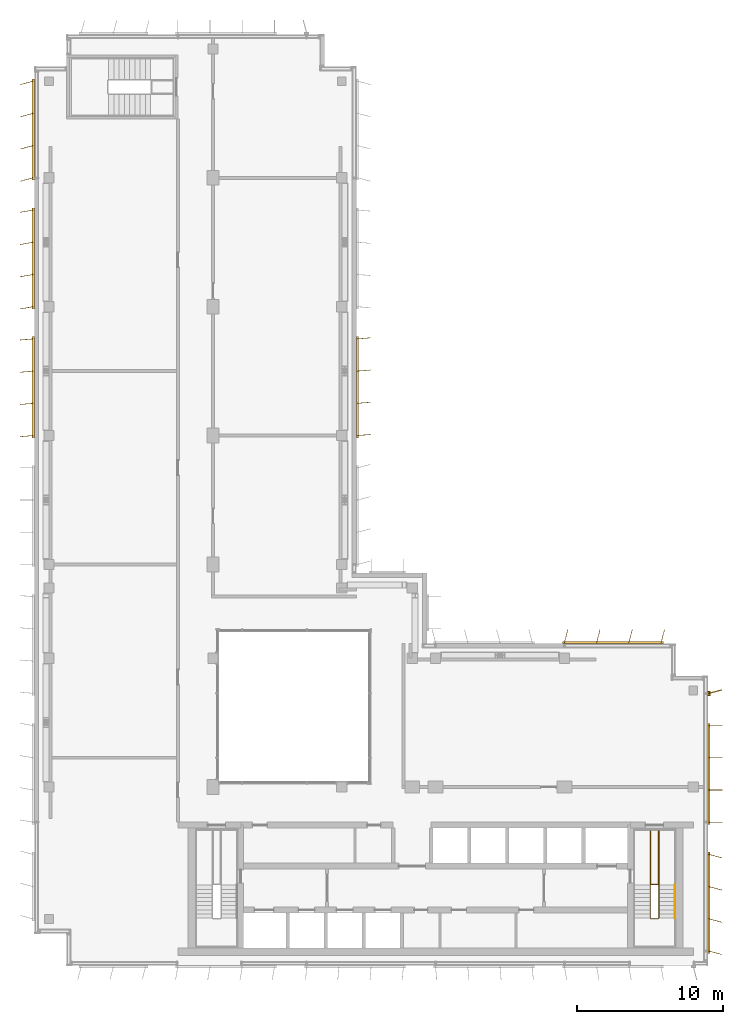
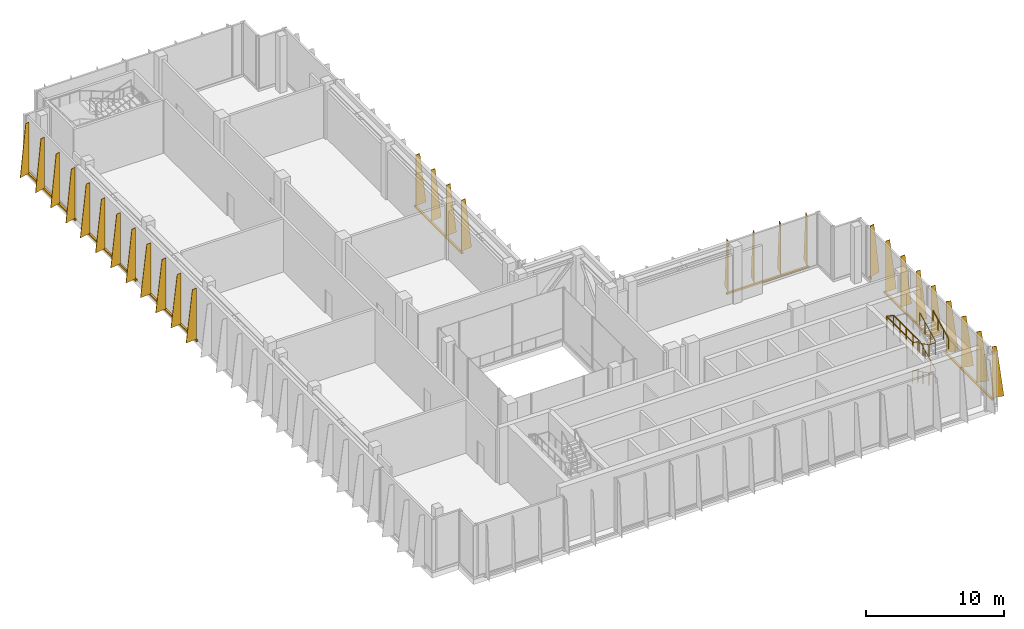
# One storey, part 13 of 14: 8 shading devices, 2 railings.
"""IFC4 building model written with IfcOpenShell, lengths in metres."""

from ifc_helpers import new_model, si_unit, direction, frame, origin, origin_2d, place, context, subcontext, project, spatial, polyline, rectangle, circle, outline, extrude, source, transform, mapped, material, layer, layer_set, type_object, element, save


model = new_model("IFC4")

# Units and contexts
model_context = context("Model", 3, precision=1e-05, world=origin(), true_north=direction((0.0, 1.0)))
body_context = subcontext(model_context, "Body", "Model", "MODEL_VIEW")
ifc_project = project(units=[si_unit("LENGTHUNIT", "METRE"), si_unit("AREAUNIT", "SQUARE_METRE"), si_unit("VOLUMEUNIT", "CUBIC_METRE"), si_unit("PLANEANGLEUNIT", "RADIAN"), si_unit("MASSUNIT", "GRAM", prefix="KILO")], contexts=[model_context])

# Site, building, storey
site_placement = place(None, origin())
site = spatial("IfcSite", under=ifc_project, at=site_placement, CompositionType="ELEMENT")
building_placement = place(site_placement, origin())
building = spatial("IfcBuilding", under=site, at=building_placement, Name="Kemantara Hotel Tower", CompositionType="ELEMENT")
storey_placement = place(building_placement, frame((0.0, 0.0, 309.199951171875)))
storey = spatial("IfcBuildingStorey", under=building, at=storey_placement, Name="L78", CompositionType="ELEMENT", Elevation=309.199951171875)

# Railings
ifc_material_1 = material(Name="Stainless steel balustrade", Category="steel")
railing_type_1 = type_object("IfcRailingType", Name="Stair guard 1100 mm", PredefinedType="GUARDRAIL", material=ifc_material_1)
railing_1_placement = place(storey_placement, frame((42.64990234375, 5.5, 5.0)))
element("IfcRailing", 1, at=railing_1_placement, inside=storey, type_object=railing_type_1, Name="L78 ST2 stair guard 1", PredefinedType="GUARDRAIL", context=body_context, shape_type="SweptSolid", body=[
    extrude(circle(Radius=0.02392578125, at=origin_2d()), frame((0.0, 0.0, 1.076171875), z_axis=(0.0, -0.895848192791, -0.444360231651), x_axis=(1.0, 0.0, 0.0)), (0.0, 0.0, 1.0), 2.50048828125),
    extrude(circle(Radius=0.02392578125, at=origin_2d()), frame((0.0, -2.239990234375, -0.03515625), z_axis=(-0.319608697381, -0.321175406682, -0.891457592206), x_axis=(0.708833529934, -0.705375805398, 0.0)), (0.0, 0.0, 1.0), 0.15576171875),
    extrude(circle(Radius=0.02392578125, at=origin_2d()), frame((-0.0498046875, -2.2900390625, -0.173828125), z_axis=(-1.0, 0.0, 0.0), x_axis=(0.0, -1.0, 0.0)), (0.0, 0.0, 1.0), 0.5),
    extrude(circle(Radius=0.02392578125, at=origin_2d()), frame((-0.5498046875, -2.2900390625, -0.173828125), z_axis=(-0.707106781187, 0.707106781187, 0.0), x_axis=(-0.707106781187, -0.707106781187, 0.0)), (0.0, 0.0, 1.0), 0.07080078125),
    extrude(circle(Radius=0.02392578125, at=origin_2d()), frame((-0.599853515625, -2.239990234375, -0.173828125), z_axis=(0.0, 0.895848192791, -0.444360231651), x_axis=(-1.0, 0.0, 0.0)), (0.0, 0.0, 1.0), 2.50048828125),
    extrude(circle(Radius=0.02392578125, at=origin_2d()), frame((-0.599853515625, 0.0, -1.28515625), z_axis=(0.0, 1.0, 0.0), x_axis=(-1.0, 0.0, 0.0)), (0.0, 0.0, 1.0), 3.780029296875),
    extrude(circle(Radius=0.02392578125, at=origin_2d()), frame((-0.599853515625, 3.780029296875, -1.28515625), z_axis=(0.969557479204, 0.0, -0.244863828525), x_axis=(0.0, 1.0, 0.0)), (0.0, 0.0, 1.0), 0.5673828125),
    extrude(circle(Radius=0.02392578125, at=origin_2d()), frame((-0.0498046875, 3.780029296875, -1.423828125), z_axis=(0.0, -1.0, 0.0), x_axis=(1.0, 0.0, 0.0)), (0.0, 0.0, 1.0), 3.72998046875),
    extrude(circle(Radius=0.02392578125, at=origin_2d()), frame((-0.0498046875, 0.050048828125, -1.423828125), z_axis=(-1.0, 0.0, 0.0), x_axis=(0.0, -1.0, 0.0)), (0.0, 0.0, 1.0), 0.5),
    extrude(circle(Radius=0.02392578125, at=origin_2d()), frame((-0.5498046875, 0.050048828125, -1.423828125), z_axis=(0.0, 1.0, 0.0), x_axis=(-1.0, 0.0, 0.0)), (0.0, 0.0, 1.0), 3.72998046875),
    extrude(circle(Radius=0.02392578125, at=origin_2d()), frame((-0.5498046875, 3.780029296875, -1.423828125), z_axis=(1.0, 0.0, 0.0), x_axis=(0.0, 1.0, 0.0)), (0.0, 0.0, 1.0), 0.5498046875),
    extrude(circle(Radius=0.02392578125, at=origin_2d()), frame((0.0, 3.780029296875, -1.423828125), z_axis=(0.0, -1.0, 0.0), x_axis=(1.0, 0.0, 0.0)), (0.0, 0.0, 1.0), 3.780029296875),
    extrude(circle(Radius=0.02392578125, at=origin_2d()), frame((0.0, 0.0, -1.423828125), z_axis=(0.0, -0.895848192791, -0.444360231651), x_axis=(1.0, 0.0, 0.0)), (0.0, 0.0, 1.0), 2.50048828125),
    extrude(circle(Radius=0.02392578125, at=origin_2d()), frame((0.0, -2.239990234375, -2.53515625), z_axis=(-0.319608697381, -0.321175406682, -0.891457592206), x_axis=(0.708833529934, -0.705375805398, 0.0)), (0.0, 0.0, 1.0), 0.15576171875),
    extrude(circle(Radius=0.02392578125, at=origin_2d()), frame((-0.0498046875, -2.2900390625, -2.673828125), z_axis=(-1.0, 0.0, 0.0), x_axis=(0.0, -1.0, 0.0)), (0.0, 0.0, 1.0), 0.5),
    extrude(circle(Radius=0.02392578125, at=origin_2d()), frame((-0.5498046875, -2.2900390625, -2.673828125), z_axis=(-0.707106781187, 0.707106781187, 0.0), x_axis=(-0.707106781187, -0.707106781187, 0.0)), (0.0, 0.0, 1.0), 0.07080078125),
    extrude(circle(Radius=0.02392578125, at=origin_2d()), frame((-0.599853515625, -2.239990234375, -2.673828125), z_axis=(0.0, 0.895848192791, -0.444360231651), x_axis=(-1.0, 0.0, 0.0)), (0.0, 0.0, 1.0), 2.50048828125),
    extrude(circle(Radius=0.02392578125, at=origin_2d()), frame((-0.599853515625, 0.0, -3.78515625), z_axis=(0.321014310373, 0.321014310373, -0.891010451718), x_axis=(-0.707106781187, 0.707106781187, 0.0)), (0.0, 0.0, 1.0), 0.156005859375),
    extrude(circle(Radius=0.02392578125, at=origin_2d()), frame((-0.5498046875, 0.050048828125, -3.923828125), z_axis=(1.0, 0.0, 0.0), x_axis=(0.0, 1.0, 0.0)), (0.0, 0.0, 1.0), 0.5),
    extrude(circle(Radius=0.02099609375, at=origin_2d()), origin(), (0.0, 0.0, 1.0), 1.052001953125),
    extrude(circle(Radius=0.02099609375, at=origin_2d()), frame((0.0, -0.74658203125, -0.370361328125)), (0.0, 0.0, 1.0), 1.052001953125),
    extrude(circle(Radius=0.02099609375, at=origin_2d()), frame((0.0, -1.493408203125, -0.74072265625)), (0.0, 0.0, 1.0), 1.052001953125),
    extrude(circle(Radius=0.02099609375, at=origin_2d()), frame((0.0, -2.239990234375, -1.111083984375)), (0.0, 0.0, 1.0), 1.052001953125),
    extrude(circle(Radius=0.02099609375, at=origin_2d()), frame((-0.0498046875, -2.2900390625, -1.25)), (0.0, 0.0, 1.0), 1.052001953125),
    extrude(circle(Radius=0.02099609375, at=origin_2d()), frame((-0.5498046875, -2.2900390625, -1.25)), (0.0, 0.0, 1.0), 1.052001953125),
    extrude(circle(Radius=0.02099609375, at=origin_2d()), frame((-0.599853515625, -2.239990234375, -1.25)), (0.0, 0.0, 1.0), 1.052001953125),
    extrude(circle(Radius=0.02099609375, at=origin_2d()), frame((-0.599853515625, -1.493408203125, -1.620361328125)), (0.0, 0.0, 1.0), 1.052001953125),
    extrude(circle(Radius=0.02099609375, at=origin_2d()), frame((-0.599853515625, -0.74658203125, -1.99072265625)), (0.0, 0.0, 1.0), 1.052001953125),
    extrude(circle(Radius=0.02099609375, at=origin_2d()), frame((-0.599853515625, 0.0, -2.361083984375)), (0.0, 0.0, 1.0), 1.052001953125),
    extrude(circle(Radius=0.02099609375, at=origin_2d()), frame((-0.599853515625, 0.945068359375, -2.361083984375)), (0.0, 0.0, 1.0), 1.052001953125),
    extrude(circle(Radius=0.02099609375, at=origin_2d()), frame((-0.599853515625, 1.89013671875, -2.361083984375)), (0.0, 0.0, 1.0), 1.052001953125),
    extrude(circle(Radius=0.02099609375, at=origin_2d()), frame((-0.599853515625, 2.8349609375, -2.361083984375)), (0.0, 0.0, 1.0), 1.052001953125),
    extrude(circle(Radius=0.02099609375, at=origin_2d()), frame((-0.599853515625, 3.780029296875, -2.361083984375)), (0.0, 0.0, 1.0), 1.052001953125),
    extrude(circle(Radius=0.02099609375, at=origin_2d()), frame((-0.0498046875, 3.780029296875, -2.5)), (0.0, 0.0, 1.0), 1.052001953125),
    extrude(circle(Radius=0.02099609375, at=origin_2d()), frame((-0.0498046875, 2.84765625, -2.5)), (0.0, 0.0, 1.0), 1.052001953125),
    extrude(circle(Radius=0.02099609375, at=origin_2d()), frame((-0.0498046875, 1.9150390625, -2.5)), (0.0, 0.0, 1.0), 1.052001953125),
    extrude(circle(Radius=0.02099609375, at=origin_2d()), frame((-0.0498046875, 0.982421875, -2.5)), (0.0, 0.0, 1.0), 1.052001953125),
    extrude(circle(Radius=0.02099609375, at=origin_2d()), frame((-0.0498046875, 0.050048828125, -2.5)), (0.0, 0.0, 1.0), 1.052001953125),
    extrude(circle(Radius=0.02099609375, at=origin_2d()), frame((-0.5498046875, 0.050048828125, -2.5)), (0.0, 0.0, 1.0), 1.052001953125),
    extrude(circle(Radius=0.02099609375, at=origin_2d()), frame((-0.5498046875, 0.982421875, -2.5)), (0.0, 0.0, 1.0), 1.052001953125),
    extrude(circle(Radius=0.02099609375, at=origin_2d()), frame((-0.5498046875, 1.9150390625, -2.5)), (0.0, 0.0, 1.0), 1.052001953125),
    extrude(circle(Radius=0.02099609375, at=origin_2d()), frame((-0.5498046875, 2.84765625, -2.5)), (0.0, 0.0, 1.0), 1.052001953125),
    extrude(circle(Radius=0.02099609375, at=origin_2d()), frame((-0.5498046875, 3.780029296875, -2.5)), (0.0, 0.0, 1.0), 1.052001953125),
    extrude(circle(Radius=0.02099609375, at=origin_2d()), frame((0.0, 3.780029296875, -2.5)), (0.0, 0.0, 1.0), 1.052001953125),
    extrude(circle(Radius=0.02099609375, at=origin_2d()), frame((0.0, 2.8349609375, -2.5)), (0.0, 0.0, 1.0), 1.052001953125),
    extrude(circle(Radius=0.02099609375, at=origin_2d()), frame((0.0, 1.89013671875, -2.5)), (0.0, 0.0, 1.0), 1.052001953125),
    extrude(circle(Radius=0.02099609375, at=origin_2d()), frame((0.0, 0.945068359375, -2.5)), (0.0, 0.0, 1.0), 1.052001953125),
    extrude(circle(Radius=0.02099609375, at=origin_2d()), frame((0.0, 0.0, -2.5)), (0.0, 0.0, 1.0), 1.052001953125),
    extrude(circle(Radius=0.02099609375, at=origin_2d()), frame((0.0, -0.74658203125, -2.870361328125)), (0.0, 0.0, 1.0), 1.052001953125),
    extrude(circle(Radius=0.02099609375, at=origin_2d()), frame((0.0, -1.493408203125, -3.24072265625)), (0.0, 0.0, 1.0), 1.052001953125),
    extrude(circle(Radius=0.02099609375, at=origin_2d()), frame((0.0, -2.239990234375, -3.611083984375)), (0.0, 0.0, 1.0), 1.052001953125),
    extrude(circle(Radius=0.02099609375, at=origin_2d()), frame((-0.0498046875, -2.2900390625, -3.75)), (0.0, 0.0, 1.0), 1.052001953125),
    extrude(circle(Radius=0.02099609375, at=origin_2d()), frame((-0.5498046875, -2.2900390625, -3.75)), (0.0, 0.0, 1.0), 1.052001953125),
    extrude(circle(Radius=0.02099609375, at=origin_2d()), frame((-0.599853515625, -2.239990234375, -3.75)), (0.0, 0.0, 1.0), 1.052001953125),
    extrude(circle(Radius=0.02099609375, at=origin_2d()), frame((-0.599853515625, -1.493408203125, -4.120361328125)), (0.0, 0.0, 1.0), 1.052001953125),
    extrude(circle(Radius=0.02099609375, at=origin_2d()), frame((-0.599853515625, -0.74658203125, -4.49072265625)), (0.0, 0.0, 1.0), 1.052001953125),
    extrude(circle(Radius=0.02099609375, at=origin_2d()), frame((-0.599853515625, 0.0, -4.861083984375)), (0.0, 0.0, 1.0), 1.052001953125),
    extrude(circle(Radius=0.02099609375, at=origin_2d()), frame((-0.5498046875, 0.050048828125, -5.0)), (0.0, 0.0, 1.0), 1.052001953125),
    extrude(circle(Radius=0.02099609375, at=origin_2d()), frame((-0.0498046875, 0.050048828125, -5.0)), (0.0, 0.0, 1.0), 1.052001953125),
])
railing_type_2 = type_object("IfcRailingType", Name="Stair handrail 900 mm", PredefinedType="HANDRAIL", material=ifc_material_1)
railing_2_placement = place(storey_placement, frame((43.75, 3.260009765625, 3.888916015625)))
element("IfcRailing", 2, at=railing_2_placement, inside=storey, type_object=railing_type_2, Name="L78 ST2 stair handrail 3", PredefinedType="HANDRAIL", context=body_context, shape_type="SweptSolid", body=[
    extrude(circle(Radius=0.02392578125, at=origin_2d()), frame((0.0, 0.0, 0.8759765625), z_axis=(0.0, 0.895848192791, 0.444360231651), x_axis=(-1.0, 0.0, 0.0)), (0.0, 0.0, 1.0), 2.50048828125),
    extrude(circle(Radius=0.02099609375, at=origin_2d()), origin(), (0.0, 0.0, 1.0), 0.851806640625),
    extrude(circle(Radius=0.02099609375, at=origin_2d()), frame((0.0, 0.74658203125, 0.370361328125)), (0.0, 0.0, 1.0), 0.851806640625),
    extrude(circle(Radius=0.02099609375, at=origin_2d()), frame((0.0, 1.493408203125, 0.74072265625)), (0.0, 0.0, 1.0), 0.851806640625),
    extrude(circle(Radius=0.02099609375, at=origin_2d()), frame((0.0, 2.239990234375, 1.111083984375)), (0.0, 0.0, 1.0), 0.851806640625),
])

# Shading devices
ifc_material_2 = material(Name="Perforated aluminium plate 4 mm bronze anodised", Category="aluminium")
ifc_layer_1 = layer(ifc_material_2, 0.0400390625)
ifc_layer_set_1 = layer_set([ifc_layer_1], Name="Perforated aluminium plate 4 mm bronze anodised")
shading_device_type_1 = type_object("IfcShadingDeviceType", Name="SCREEN FIN CASSETTE, 4 BLADES AT +0.0 DEG, 4500 HIGH", PredefinedType="USERDEFINED", material=ifc_layer_set_1)
shared_shape_1 = source(origin(), body_context, "Body", "SweptSolid", [
    extrude(rectangle(XDim=6.89990234375, YDim=0.14990234375, at=origin_2d()), frame((3.300048828125, -0.074951171875, -0.14990234375), z_axis=(0.0, 0.0, 1.0), x_axis=(1.0, 0.0, 0.0)), (0.0, 0.0, 1.0), 0.14990234375),
    extrude(outline(polyline([(0.0, 0.0), (0.89990234375, 0.0), (0.35009765625, 4.5), (0.0, 4.5), (0.0, 0.0)])), frame((0.02001953125, -0.074951171875, 0.0), z_axis=(-1.0, 0.0, 0.0), x_axis=(0.0, -1.0, 0.0)), (0.0, 0.0, 1.0), 0.0400390625),
    extrude(outline(polyline([(0.0, 0.0), (0.89990234375, 0.0), (0.35009765625, 4.5), (0.0, 4.5), (0.0, 0.0)])), frame((2.219970703125, -0.074951171875, 0.0), z_axis=(-1.0, 0.0, 0.0), x_axis=(0.0, -1.0, 0.0)), (0.0, 0.0, 1.0), 0.0400390625),
    extrude(outline(polyline([(0.0, 0.0), (0.89990234375, 0.0), (0.35009765625, 4.5), (0.0, 4.5), (0.0, 0.0)])), frame((4.419921875, -0.074951171875, 0.0), z_axis=(-1.0, 0.0, 0.0), x_axis=(0.0, -1.0, 0.0)), (0.0, 0.0, 1.0), 0.0400390625),
    extrude(outline(polyline([(0.0, 0.0), (0.89990234375, 0.0), (0.35009765625, 4.5), (0.0, 4.5), (0.0, 0.0)])), frame((6.6201171875, -0.074951171875, 0.0), z_axis=(-1.0, 0.0, 0.0), x_axis=(0.0, -1.0, 0.0)), (0.0, 0.0, 1.0), 0.0400390625),
])
shading_device_1_placement = place(storey_placement, frame((46.0, 9.800048828125, 0.10009765625), z_axis=(0.0, 0.0, 1.0), x_axis=(0.0, 1.0, 0.0)))
element("IfcShadingDevice", 3, at=shading_device_1_placement, inside=storey, type_object=shading_device_type_1, Name="SCREEN FIN CASSETTE L78 CRN-R09-2", ObjectType="SCREEN FIN", PredefinedType="USERDEFINED", context=body_context, shape_type="MappedRepresentation", body=[
    mapped(shared_shape_1, transform((0.0, 0.0, 0.0))),
])
ifc_layer_2 = layer(ifc_material_2, 0.0400390625)
ifc_layer_set_2 = layer_set([ifc_layer_2], Name="Perforated aluminium plate 4 mm bronze anodised")
shading_device_type_2 = type_object("IfcShadingDeviceType", Name="SCREEN FIN CASSETTE, 4 BLADES AT +5.0 DEG, 4500 HIGH", PredefinedType="USERDEFINED", material=ifc_layer_set_2)
shared_shape_2 = source(origin(), body_context, "Body", "SweptSolid", [
    extrude(rectangle(XDim=6.89990234375, YDim=0.14990234375, at=origin_2d()), frame((3.300048828125, -0.074951171875, -0.14990234375), z_axis=(0.0, 0.0, 1.0), x_axis=(1.0, 0.0, 0.0)), (0.0, 0.0, 1.0), 0.14990234375),
    extrude(outline(polyline([(0.0, 0.0), (0.89990234375, 0.0), (0.35009765625, 4.5), (0.0, 4.5), (0.0, 0.0)])), frame((0.02001953125, -0.0732421875, 0.0), z_axis=(-0.996376129781, -0.085056498884, 0.0), x_axis=(0.085056498884, -0.996376129781, 0.0)), (0.0, 0.0, 1.0), 0.040283203125),
    extrude(outline(polyline([(0.0, 0.0), (0.89990234375, 0.0), (0.35009765625, 4.5), (0.0, 4.5), (0.0, 0.0)])), frame((2.219970703125, -0.0732421875, 0.0), z_axis=(-0.996331773833, -0.085574508182, 0.0), x_axis=(0.085574508182, -0.996331773833, 0.0)), (0.0, 0.0, 1.0), 0.0400390625),
    extrude(outline(polyline([(0.0, 0.0), (0.89990234375, 0.0), (0.35009765625, 4.5), (0.0, 4.5), (0.0, 0.0)])), frame((4.419921875, -0.0732421875, 0.0), z_axis=(-0.996331773833, -0.085574508182, 0.0), x_axis=(0.085574508182, -0.996331773833, 0.0)), (0.0, 0.0, 1.0), 0.0400390625),
    extrude(outline(polyline([(0.0, 0.0), (0.89990234375, 0.0), (0.35009765625, 4.5), (0.0, 4.5), (0.0, 0.0)])), frame((6.619873046875, -0.0732421875, 0.0), z_axis=(-0.996331773833, -0.085574508182, 0.0), x_axis=(0.085574508182, -0.996331773833, 0.0)), (0.0, 0.0, 1.0), 0.0400390625),
])
for number, where, z_axis, x_axis, name in (
    (4, (0.0, 42.800048828125, 0.10009765625), (0.0, 0.0, 1.0), (0.0, -1.0, 0.0), "SCREEN FIN CASSETTE L78 CRN-R05-3"),
    (5, (22.0, 36.199951171875, 0.10009765625), (0.0, 0.0, 1.0), (0.0, 1.0, 0.0), "SCREEN FIN CASSETTE L78 CRN-R15-2"),
):
    element("IfcShadingDevice", number, at=place(storey_placement, frame(where, z_axis=z_axis, x_axis=x_axis)), inside=storey, type_object=shading_device_type_2, Name=name, ObjectType="SCREEN FIN", PredefinedType="USERDEFINED", context=body_context, shape_type="MappedRepresentation", body=[
        mapped(shared_shape_2, transform((0.0, 0.0, 0.0))),
    ])
ifc_layer_3 = layer(ifc_material_2, 0.0400390625)
ifc_layer_set_3 = layer_set([ifc_layer_3], Name="Perforated aluminium plate 4 mm bronze anodised")
shading_device_type_3 = type_object("IfcShadingDeviceType", Name="SCREEN FIN CASSETTE, 4 BLADES AT +10.0 DEG, 4500 HIGH", PredefinedType="USERDEFINED", material=ifc_layer_set_3)
shared_shape_3 = source(origin(), body_context, "Body", "SweptSolid", [
    extrude(rectangle(XDim=6.89990234375, YDim=0.14990234375, at=origin_2d()), frame((3.300048828125, -0.074951171875, -0.14990234375), z_axis=(0.0, 0.0, 1.0), x_axis=(1.0, 0.0, 0.0)), (0.0, 0.0, 1.0), 0.14990234375),
    extrude(outline(polyline([(0.0, 0.0), (0.89990234375, 0.0), (0.35009765625, 4.5), (0.0, 4.5), (0.0, 0.0)])), frame((0.019775390625, -0.071533203125, 0.0), z_axis=(-0.985389793052, -0.170314285219, 0.0), x_axis=(0.170314285219, -0.985389793052, 0.0)), (0.0, 0.0, 1.0), 0.0400390625),
    extrude(outline(polyline([(0.0, 0.0), (0.89990234375, 0.0), (0.35009765625, 4.5), (0.0, 4.5), (0.0, 0.0)])), frame((2.2197265625, -0.071533203125, 0.0), z_axis=(-0.98521175482, -0.171341174751, 0.0), x_axis=(0.171341174751, -0.98521175482, 0.0)), (0.0, 0.0, 1.0), 0.039794921875),
    extrude(outline(polyline([(0.0, 0.0), (0.89990234375, 0.0), (0.35009765625, 4.5), (0.0, 4.5), (0.0, 0.0)])), frame((4.419677734375, -0.071533203125, 0.0), z_axis=(-0.98521175482, -0.171341174751, 0.0), x_axis=(0.171341174751, -0.98521175482, 0.0)), (0.0, 0.0, 1.0), 0.039794921875),
    extrude(outline(polyline([(0.0, 0.0), (0.89990234375, 0.0), (0.35009765625, 4.5), (0.0, 4.5), (0.0, 0.0)])), frame((6.61962890625, -0.071533203125, 0.0), z_axis=(-0.98521175482, -0.171341174751, 0.0), x_axis=(0.171341174751, -0.98521175482, 0.0)), (0.0, 0.0, 1.0), 0.039794921875),
])
shading_device_2_placement = place(storey_placement, frame((0.0, 51.60009765625, 0.10009765625), z_axis=(0.0, 0.0, 1.0), x_axis=(0.0, -1.0, 0.0)))
element("IfcShadingDevice", 6, at=shading_device_2_placement, inside=storey, type_object=shading_device_type_3, Name="SCREEN FIN CASSETTE L78 CRN-R05-2", ObjectType="SCREEN FIN", PredefinedType="USERDEFINED", context=body_context, shape_type="MappedRepresentation", body=[
    mapped(shared_shape_3, transform((0.0, 0.0, 0.0))),
])
ifc_layer_4 = layer(ifc_material_2, 0.0400390625)
ifc_layer_set_4 = layer_set([ifc_layer_4], Name="Perforated aluminium plate 4 mm bronze anodised")
shading_device_type_4 = type_object("IfcShadingDeviceType", Name="SCREEN FIN CASSETTE, 4 BLADES AT +15.0 DEG, 4500 HIGH", PredefinedType="USERDEFINED", material=ifc_layer_set_4)
shared_shape_4 = source(origin(), body_context, "Body", "SweptSolid", [
    extrude(rectangle(XDim=6.89990234375, YDim=0.14990234375, at=origin_2d()), frame((3.300048828125, -0.074951171875, -0.14990234375), z_axis=(0.0, 0.0, 1.0), x_axis=(1.0, 0.0, 0.0)), (0.0, 0.0, 1.0), 0.14990234375),
    extrude(outline(polyline([(0.0, 0.0), (0.89990234375, 0.0), (0.35009765625, 4.5), (0.0, 4.5), (0.0, 0.0)])), frame((0.019287109375, -0.06982421875, 0.0), z_axis=(-0.966437683387, -0.256901156343, 0.0), x_axis=(0.256901156343, -0.966437683387, 0.0)), (0.0, 0.0, 1.0), 0.039794921875),
    extrude(outline(polyline([(0.0, 0.0), (0.89990234375, 0.0), (0.35009765625, 4.5), (0.0, 4.5), (0.0, 0.0)])), frame((2.21923828125, -0.06982421875, 0.0), z_axis=(-0.966437683387, -0.256901156343, 0.0), x_axis=(0.256901156343, -0.966437683387, 0.0)), (0.0, 0.0, 1.0), 0.039794921875),
    extrude(outline(polyline([(0.0, 0.0), (0.89990234375, 0.0), (0.35009765625, 4.5), (0.0, 4.5), (0.0, 0.0)])), frame((4.41943359375, -0.06982421875, 0.0), z_axis=(-0.966837822169, -0.255391122837, 0.0), x_axis=(0.255391122837, -0.966837822169, 0.0)), (0.0, 0.0, 1.0), 0.0400390625),
    extrude(outline(polyline([(0.0, 0.0), (0.89990234375, 0.0), (0.35009765625, 4.5), (0.0, 4.5), (0.0, 0.0)])), frame((6.619384765625, -0.06982421875, 0.0), z_axis=(-0.966837822169, -0.255391122837, 0.0), x_axis=(0.255391122837, -0.966837822169, 0.0)), (0.0, 0.0, 1.0), 0.0400390625),
])
shading_device_3_placement = place(storey_placement, frame((0.0, 60.39990234375, 0.10009765625), z_axis=(0.0, 0.0, 1.0), x_axis=(0.0, -1.0, 0.0)))
element("IfcShadingDevice", 7, at=shading_device_3_placement, inside=storey, type_object=shading_device_type_4, Name="SCREEN FIN CASSETTE L78 CRN-R05-1", ObjectType="SCREEN FIN", PredefinedType="USERDEFINED", context=body_context, shape_type="MappedRepresentation", body=[
    mapped(shared_shape_4, transform((0.0, 0.0, 0.0))),
])
ifc_layer_5 = layer(ifc_material_2, 0.0400390625)
ifc_layer_set_5 = layer_set([ifc_layer_5], Name="Perforated aluminium plate 4 mm bronze anodised")
shading_device_type_5 = type_object("IfcShadingDeviceType", Name="SCREEN FIN CASSETTE, 4 BLADES AT -15.0 DEG, 4500 HIGH", PredefinedType="USERDEFINED", material=ifc_layer_set_5)
shared_shape_5 = source(origin(), body_context, "Body", "SweptSolid", [
    extrude(rectangle(XDim=6.89990234375, YDim=0.14990234375, at=origin_2d()), frame((3.300048828125, -0.074951171875, -0.14990234375), z_axis=(0.0, 0.0, 1.0), x_axis=(1.0, 0.0, 0.0)), (0.0, 0.0, 1.0), 0.14990234375),
    extrude(outline(polyline([(0.0, 0.0), (0.89990234375, 0.0), (0.35009765625, 4.5), (0.0, 4.5), (0.0, 0.0)])), frame((0.019287109375, -0.080078125, 0.0), z_axis=(-0.966437683387, 0.256901156343, 0.0), x_axis=(-0.256901156343, -0.966437683387, 0.0)), (0.0, 0.0, 1.0), 0.039794921875),
    extrude(outline(polyline([(0.0, 0.0), (0.89990234375, 0.0), (0.35009765625, 4.5), (0.0, 4.5), (0.0, 0.0)])), frame((2.21923828125, -0.080078125, 0.0), z_axis=(-0.966437683387, 0.256901156343, 0.0), x_axis=(-0.256901156343, -0.966437683387, 0.0)), (0.0, 0.0, 1.0), 0.039794921875),
    extrude(outline(polyline([(0.0, 0.0), (0.89990234375, 0.0), (0.35009765625, 4.5), (0.0, 4.5), (0.0, 0.0)])), frame((4.41943359375, -0.080078125, 0.0), z_axis=(-0.966837822169, 0.255391122837, 0.0), x_axis=(-0.255391122837, -0.966837822169, 0.0)), (0.0, 0.0, 1.0), 0.0400390625),
    extrude(outline(polyline([(0.0, 0.0), (0.89990234375, 0.0), (0.35009765625, 4.5), (0.0, 4.5), (0.0, 0.0)])), frame((6.619384765625, -0.080078125, 0.0), z_axis=(-0.966837822169, 0.255391122837, 0.0), x_axis=(-0.255391122837, -0.966837822169, 0.0)), (0.0, 0.0, 1.0), 0.0400390625),
])
for number, where, z_axis, x_axis, name in (
    (8, (46.0, 1.0, 0.10009765625), (0.0, 0.0, 1.0), (0.0, 1.0, 0.0), "SCREEN FIN CASSETTE L78 CRN-R09-1"),
    (9, (42.800048828125, 22.0, 0.10009765625), (0.0, 0.0, 1.0), (-1.0, 0.0, 0.0), "SCREEN FIN CASSETTE L78 CRN-R12-1"),
):
    element("IfcShadingDevice", number, at=place(storey_placement, frame(where, z_axis=z_axis, x_axis=x_axis)), inside=storey, type_object=shading_device_type_5, Name=name, ObjectType="SCREEN FIN", PredefinedType="USERDEFINED", context=body_context, shape_type="MappedRepresentation", body=[
        mapped(shared_shape_5, transform((0.0, 0.0, 0.0))),
    ])
ifc_layer_6 = layer(ifc_material_2, 0.0400390625)
ifc_layer_set_6 = layer_set([ifc_layer_6], Name="Perforated aluminium plate 4 mm bronze anodised")
shading_device_type_6 = type_object("IfcShadingDeviceType", Name="SCREEN FIN CASSETTE, 1 BLADE AT +15.0 DEG, 4500 HIGH", PredefinedType="USERDEFINED", material=ifc_layer_set_6)
shared_shape_6 = source(origin(), body_context, "Body", "SweptSolid", [
    extrude(rectangle(XDim=0.300048828125, YDim=0.14990234375, at=origin_2d()), frame((0.0, -0.074951171875, -0.14990234375), z_axis=(0.0, 0.0, 1.0), x_axis=(1.0, 0.0, 0.0)), (0.0, 0.0, 1.0), 0.14990234375),
    extrude(outline(polyline([(0.0, 0.0), (0.89990234375, 0.0), (0.35009765625, 4.5), (0.0, 4.5), (0.0, 0.0)])), frame((0.019287109375, -0.06982421875, 0.0), z_axis=(-0.966437683387, -0.256901156343, 0.0), x_axis=(0.256901156343, -0.966437683387, 0.0)), (0.0, 0.0, 1.0), 0.039794921875),
])
shading_device_4_placement = place(storey_placement, frame((46.0, 18.60009765625, 0.10009765625), z_axis=(0.0, 0.0, 1.0), x_axis=(0.0, 1.0, 0.0)))
element("IfcShadingDevice", 10, at=shading_device_4_placement, inside=storey, type_object=shading_device_type_6, Name="SCREEN FIN CASSETTE L78 CRN-R09-3", ObjectType="SCREEN FIN", PredefinedType="USERDEFINED", context=body_context, shape_type="MappedRepresentation", body=[
    mapped(shared_shape_6, transform((0.0, 0.0, 0.0))),
])

save(model, "model.ifc")
